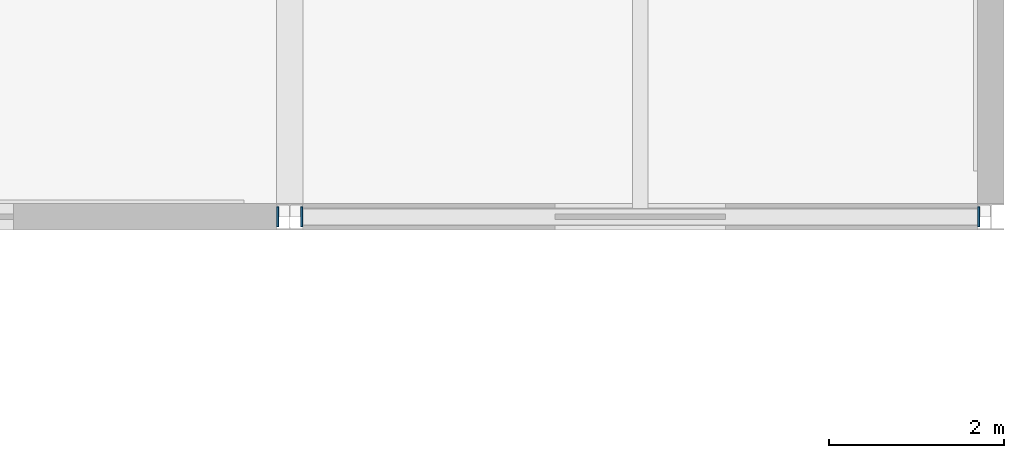
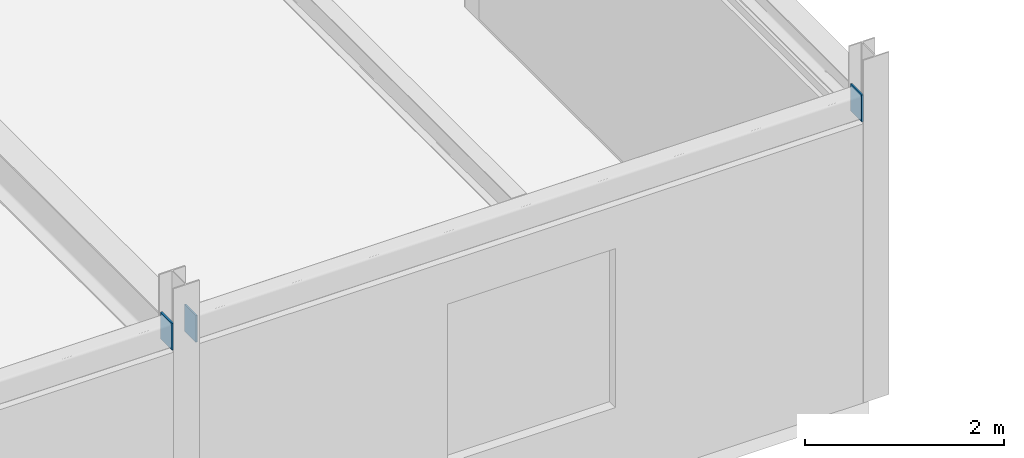
# One storey, part 71 of 88: 3 plates.
"""IFC4 building model written with IfcOpenShell, lengths in metres."""

from ifc_helpers import new_model, si_unit, direction, frame, origin, origin_2d, place, context, subcontext, project, spatial, rectangle, extrude, material, layer, layer_set, type_object, element, save


model = new_model("IFC4")

# Units and contexts
model_context = context("Model", 3, precision=1e-05, world=origin(), true_north=direction((0.0, 1.0)))
body_context = subcontext(model_context, "Body", "Model", "MODEL_VIEW")
ifc_project = project(units=[si_unit("LENGTHUNIT", "METRE"), si_unit("AREAUNIT", "SQUARE_METRE"), si_unit("VOLUMEUNIT", "CUBIC_METRE"), si_unit("PLANEANGLEUNIT", "RADIAN"), si_unit("MASSUNIT", "GRAM", prefix="KILO")], contexts=[model_context])

# Site, building, storey
site_placement = place(None, origin())
site = spatial("IfcSite", under=ifc_project, at=site_placement, CompositionType="ELEMENT")
building_placement = place(site_placement, origin())
building = spatial("IfcBuilding", under=site, at=building_placement, Name="Zhaolan Boulevard Law Courts", CompositionType="ELEMENT")
storey_placement = place(building_placement, frame((0.0, 0.0, 16.199951171875)))
storey = spatial("IfcBuildingStorey", under=building, at=storey_placement, Name="L03", CompositionType="ELEMENT", Elevation=16.199951171875)

# Plates
ifc_material = material(Name="Structural steel Q355B", Category="steel")
ifc_layer = layer(ifc_material, 0.02001953125)
ifc_layer_set = layer_set([ifc_layer])
plate_type = type_object("IfcPlateType", Name="END CAP PLATE 20", PredefinedType="SHEET", material=ifc_layer_set)
for number, where, z_axis, x_axis, name in (
    (1, (155.862060546875, 62.0, 3.423095703125), (0.0, 0.0, 1.0), (1.0, 0.0, 0.0), "Hollow Section End-Cap Plate ECP-0932"),
    (2, (156.137939453125, 62.0, 3.423095703125), (0.0, 0.0, 1.0), (1.0, 0.0, 0.0), "Hollow Section End-Cap Plate ECP-0933"),
    (3, (163.862060546875, 62.0, 3.423095703125), (0.0, 0.0, 1.0), (1.0, 0.0, 0.0), "Hollow Section End-Cap Plate ECP-0934"),
):
    element("IfcPlate", number, at=place(storey_placement, frame(where, z_axis=z_axis, x_axis=x_axis)), inside=storey, type_object=plate_type, Name=name, PredefinedType="SHEET", context=body_context, shape_type="SweptSolid", body=[
        extrude(rectangle(XDim=0.02001953125, YDim=0.22998046875, at=origin_2d()), origin(), (0.0, 0.0, 1.0), 0.330078125),
    ])

save(model, "model.ifc")
